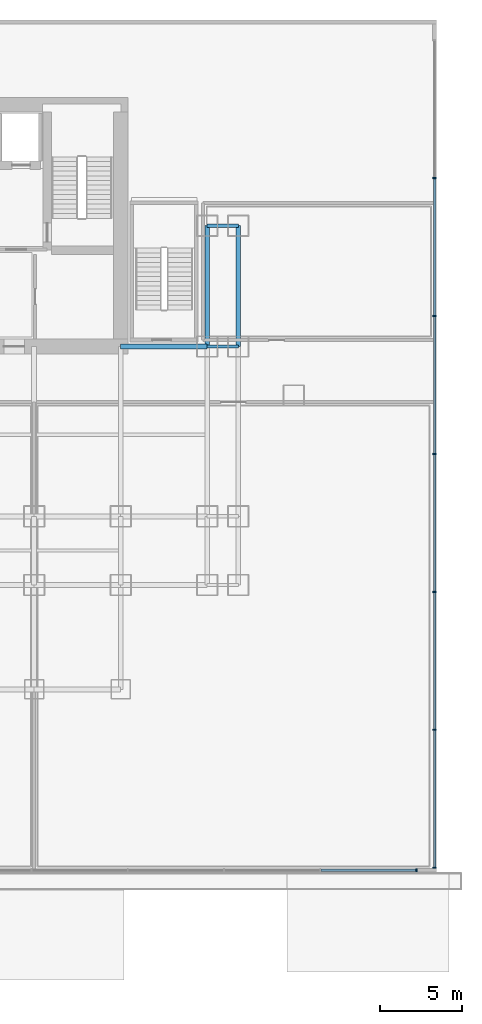
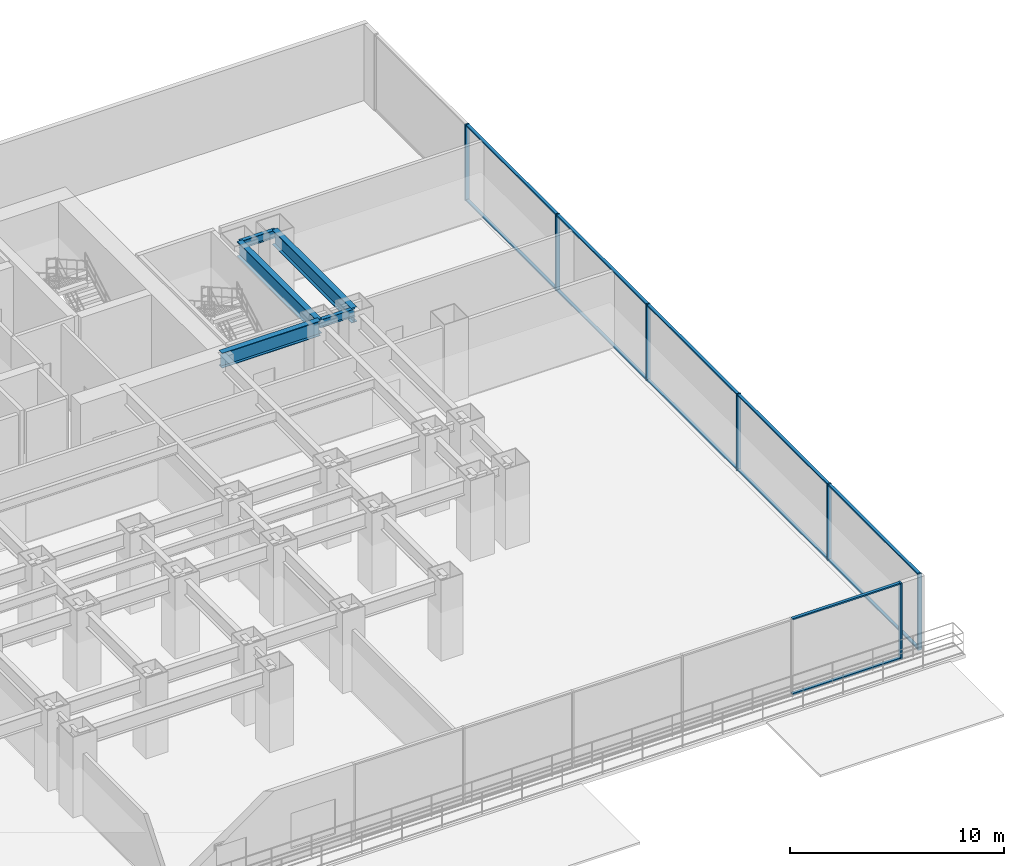
# One storey, part 6 of 13: 19 members, 5 beams, 2 elements without a shape of their own.
"""IFC4 building model written with IfcOpenShell, lengths in metres."""

from ifc_helpers import new_model, si_unit, direction, frame, origin, origin_2d, place, context, subcontext, project, spatial, rectangle, i_section, extrude, source, transform, mapped, material, layer, layer_set, material_profile, profile_set, type_object, element, aggregate, save


model = new_model("IFC4")

# Units and contexts
model_context = context("Model", 3, precision=1e-05, world=origin(), true_north=direction((0.0, 1.0)))
body_context = subcontext(model_context, "Body", "Model", "MODEL_VIEW")
ifc_project = project(units=[si_unit("LENGTHUNIT", "METRE"), si_unit("AREAUNIT", "SQUARE_METRE"), si_unit("VOLUMEUNIT", "CUBIC_METRE"), si_unit("PLANEANGLEUNIT", "RADIAN"), si_unit("MASSUNIT", "GRAM", prefix="KILO")], contexts=[model_context])

# Site, building, storey
site_placement = place(None, origin())
site = spatial("IfcSite", under=ifc_project, at=site_placement, CompositionType="ELEMENT")
building_placement = place(site_placement, origin())
building = spatial("IfcBuilding", under=site, at=building_placement, Name="Qianlan Lanfeng Residences", CompositionType="ELEMENT")
storey_placement = place(building_placement, frame((0.0, 0.0, 5.199951171875)))
storey = spatial("IfcBuildingStorey", under=building, at=storey_placement, Name="L01", CompositionType="ELEMENT", Elevation=5.199951171875)

# Beams
ifc_material_1 = material(Name="Steel SN490B", Category="steel")
ifc_material_profile_1 = material_profile(ifc_material_1, i_section(OverallWidth=0.300048828125, OverallDepth=0.85009765625, WebThickness=0.01611328125, FlangeThickness=0.031982421875, at=origin_2d()), Name="H 850x300x16x32")
ifc_profile_set_1 = profile_set([ifc_material_profile_1], Name="Steel SN490B")
beam_type_1 = type_object("IfcBeamType", Name="G-1100", PredefinedType="BEAM", material=ifc_profile_set_1)
beam_placement = place(storey_placement, frame((42.39990234375, 25.199951171875, 3.925048828125), z_axis=(1.0, 0.0, 0.0), x_axis=(0.0, 1.0, 0.0)))
element("IfcBeam", 1, at=beam_placement, inside=storey, type_object=beam_type_1, Name="Structural beam G-1100", PredefinedType="BEAM", context=body_context, shape_type="SweptSolid", body=[
    extrude(i_section(OverallWidth=0.300048828125, OverallDepth=0.85009765625, WebThickness=0.01611328125, FlangeThickness=0.031982421875, at=origin_2d()), origin(), (0.0, 0.0, 1.0), 5.300048828125),
])
for number, where, z_axis, x_axis, name in (
    (2, (47.699951171875, 25.199951171875, 3.925048828125), (0.0, 1.0, 0.0), (-1.0, 0.0, 0.0), "Structural beam G-1100"),
    (3, (49.60009765625, 25.199951171875, 3.925048828125), (0.0, 1.0, 0.0), (-1.0, 0.0, 0.0), "Structural beam G-1100"),
):
    element("IfcBeam", number, at=place(storey_placement, frame(where, z_axis=z_axis, x_axis=x_axis)), inside=storey, type_object=beam_type_1, Name=name, PredefinedType="BEAM", context=body_context, shape_type="SweptSolid", body=[
        extrude(i_section(OverallWidth=0.300048828125, OverallDepth=0.85009765625, WebThickness=0.01611328125, FlangeThickness=0.031982421875, at=origin_2d()), origin(), (0.0, 0.0, 1.0), 7.400146484375),
    ])
ifc_material_profile_2 = material_profile(ifc_material_1, i_section(OverallWidth=0.199951171875, OverallDepth=0.449951171875, WebThickness=0.009033203125, FlangeThickness=0.013916015625, at=origin_2d()), Name="H 450x200x9x14")
ifc_profile_set_2 = profile_set([ifc_material_profile_2], Name="Steel SN490B")
beam_type_2 = type_object("IfcBeamType", Name="J-450", PredefinedType="JOIST", material=ifc_profile_set_2)
for number, where, z_axis, x_axis, name in (
    (4, (47.699951171875, 25.199951171875, 4.125), (1.0, 0.0, 0.0), (0.0, 1.0, 0.0), "Structural beam J-450"),
    (5, (47.699951171875, 32.60009765625, 4.125), (1.0, 0.0, 0.0), (0.0, 1.0, 0.0), "Structural beam J-450"),
):
    element("IfcBeam", number, at=place(storey_placement, frame(where, z_axis=z_axis, x_axis=x_axis)), inside=storey, type_object=beam_type_2, Name=name, PredefinedType="JOIST", context=body_context, shape_type="SweptSolid", body=[
        extrude(i_section(OverallWidth=0.199951171875, OverallDepth=0.449951171875, WebThickness=0.009033203125, FlangeThickness=0.013916015625, at=origin_2d()), origin(), (0.0, 0.0, 1.0), 1.900146484375),
    ])

# Curtain wall, member
ifc_material_2 = material(Name="Anodised Bronze Aluminium 6063-T6", Category="aluminium")
ifc_layer = layer(ifc_material_2, 0.219970703125)
ifc_layer_set = layer_set([ifc_layer], Name="Anodised Bronze Aluminium 6063-T6")
curtain_wall_type = type_object("IfcCurtainWallType", Name="CW-01", PredefinedType="NOTDEFINED", material=ifc_layer_set)
curtain_wall_1_placement = place(storey_placement, origin())
curtain_wall_1 = element("IfcCurtainWall", 6, at=curtain_wall_1_placement, inside=storey, type_object=curtain_wall_type, Name="L01 Unitised Curtain Wall CWR-L01-SE (CW-01)", PredefinedType="NOTDEFINED")
ifc_material_profile_3 = material_profile(ifc_material_2, rectangle(XDim=0.080078125, YDim=0.2099609375, at=origin_2d()), Name="ALU MULLION 80x210")
ifc_profile_set_3 = profile_set([ifc_material_profile_3], Name="Anodised Bronze Aluminium 6063-T6")
member_type_1 = type_object("IfcMemberType", Name="CWM-220", PredefinedType="MULLION", material=ifc_profile_set_3)
shared_shape_1 = source(origin(), body_context, "Body", "SweptSolid", [
    extrude(rectangle(XDim=0.080078125, YDim=0.2099609375, at=origin_2d()), origin(), (0.0, 0.0, 1.0), 4.35009765625),
])
member_1_placement = place(storey_placement, frame((60.510009765625, -6.8798828125, 0.0), z_axis=(0.0, 0.0, 1.0), x_axis=(1.0, 0.0, 0.0)))
member_1 = element("IfcMember", 7, at=member_1_placement, type_object=member_type_1, Name="CWR-L01-SE Mullion 6", PredefinedType="MULLION", context=body_context, shape_type="MappedRepresentation", body=[
    mapped(shared_shape_1, transform((0.0, 0.0, 0.0), scale=1.0)),
])

# Curtain wall, members
curtain_wall_2_placement = place(storey_placement, origin())
curtain_wall_2 = element("IfcCurtainWall", 8, at=curtain_wall_2_placement, inside=storey, type_object=curtain_wall_type, Name="L01 Unitised Curtain Wall CWR-L01-E (CW-01)", PredefinedType="NOTDEFINED")
member_2_placement = place(storey_placement, frame((61.6298828125, -6.719970703125, 0.0), z_axis=(0.0, 0.0, 1.0), x_axis=(0.0, 1.0, 0.0)))
member_2 = element("IfcMember", 9, at=member_2_placement, type_object=member_type_1, Name="CWR-L01-E Mullion 1", PredefinedType="MULLION", context=body_context, shape_type="MappedRepresentation", body=[
    mapped(shared_shape_1, transform((0.0, 0.0, 0.0), scale=1.0)),
])
member_3_placement = place(storey_placement, frame((61.6298828125, 1.726806640625, 0.0), z_axis=(0.0, 0.0, 1.0), x_axis=(0.0, 1.0, 0.0)))
member_3 = element("IfcMember", 10, at=member_3_placement, type_object=member_type_1, Name="CWR-L01-E Mullion 2", PredefinedType="MULLION", context=body_context, shape_type="MappedRepresentation", body=[
    mapped(shared_shape_1, transform((0.0, 0.0, 0.0), scale=1.0)),
])
member_4_placement = place(storey_placement, frame((61.6298828125, 10.17333984375, 0.0), z_axis=(0.0, 0.0, 1.0), x_axis=(0.0, 1.0, 0.0)))
member_4 = element("IfcMember", 11, at=member_4_placement, type_object=member_type_1, Name="CWR-L01-E Mullion 3", PredefinedType="MULLION", context=body_context, shape_type="MappedRepresentation", body=[
    mapped(shared_shape_1, transform((0.0, 0.0, 0.0), scale=1.0)),
])
member_5_placement = place(storey_placement, frame((61.6298828125, 18.6201171875, 0.0), z_axis=(0.0, 0.0, 1.0), x_axis=(0.0, 1.0, 0.0)))
member_5 = element("IfcMember", 12, at=member_5_placement, type_object=member_type_1, Name="CWR-L01-E Mullion 4", PredefinedType="MULLION", context=body_context, shape_type="MappedRepresentation", body=[
    mapped(shared_shape_1, transform((0.0, 0.0, 0.0), scale=1.0)),
])
member_6_placement = place(storey_placement, frame((61.6298828125, 27.066650390625, 0.0), z_axis=(0.0, 0.0, 1.0), x_axis=(0.0, 1.0, 0.0)))
member_6 = element("IfcMember", 13, at=member_6_placement, type_object=member_type_1, Name="CWR-L01-E Mullion 5", PredefinedType="MULLION", context=body_context, shape_type="MappedRepresentation", body=[
    mapped(shared_shape_1, transform((0.0, 0.0, 0.0), scale=1.0)),
])
member_7_placement = place(storey_placement, frame((61.6298828125, 35.51318359375, 0.0), z_axis=(0.0, 0.0, 1.0), x_axis=(0.0, 1.0, 0.0)))
member_7 = element("IfcMember", 14, at=member_7_placement, type_object=member_type_1, Name="CWR-L01-E Mullion 6", PredefinedType="MULLION", context=body_context, shape_type="MappedRepresentation", body=[
    mapped(shared_shape_1, transform((0.0, 0.0, 0.0), scale=1.0)),
])

# Member
ifc_material_profile_4 = material_profile(ifc_material_2, rectangle(XDim=0.080078125, YDim=0.159912109375, at=origin_2d()), Name="ALU TRANSOM 80x160")
ifc_profile_set_4 = profile_set([ifc_material_profile_4], Name="Anodised Bronze Aluminium 6063-T6")
member_type_2 = type_object("IfcMemberType", Name="CWT-180", PredefinedType="USERDEFINED", material=ifc_profile_set_4)
shared_shape_2 = source(origin(), body_context, "Body", "SweptSolid", [
    extrude(rectangle(XDim=0.080078125, YDim=0.159912109375, at=origin_2d()), origin(), (0.0, 0.0, 1.0), 5.81396484375),
])
member_8_placement = place(storey_placement, frame((54.656005859375, -6.8798828125, 0.0400390625), z_axis=(1.0, 0.0, 0.0), x_axis=(0.0, 0.0, 1.0)))
member_8 = element("IfcMember", 15, at=member_8_placement, type_object=member_type_2, Name="CWR-L01-SE Transom 5-BOT", ObjectType="TRANSOM", PredefinedType="USERDEFINED", context=body_context, shape_type="MappedRepresentation", body=[
    mapped(shared_shape_2, transform((0.0, 0.0, 0.0), scale=1.0)),
])

member_9_placement = place(storey_placement, frame((54.656005859375, -6.8798828125, 4.31005859375), z_axis=(1.0, 0.0, 0.0), x_axis=(0.0, 0.0, 1.0)))
member_9 = element("IfcMember", 16, at=member_9_placement, type_object=member_type_2, Name="CWR-L01-SE Transom 5-TOP", ObjectType="TRANSOM", PredefinedType="USERDEFINED", context=body_context, shape_type="MappedRepresentation", body=[
    mapped(shared_shape_2, transform((0.0, 0.0, 0.0), scale=1.0)),
])

aggregate(curtain_wall_1, [member_1, member_8, member_9])

shared_shape_3 = source(origin(), body_context, "Body", "SweptSolid", [
    extrude(rectangle(XDim=0.080078125, YDim=0.159912109375, at=origin_2d()), origin(), (0.0, 0.0, 1.0), 8.36669921875),
])
member_10_placement = place(storey_placement, frame((61.6298828125, -6.679931640625, 0.0400390625), z_axis=(0.0, 1.0, 0.0), x_axis=(0.0, 0.0, 1.0)))
member_10 = element("IfcMember", 17, at=member_10_placement, type_object=member_type_2, Name="CWR-L01-E Transom 1-BOT", ObjectType="TRANSOM", PredefinedType="USERDEFINED", context=body_context, shape_type="MappedRepresentation", body=[
    mapped(shared_shape_3, transform((0.0, 0.0, 0.0), scale=1.0)),
])

member_11_placement = place(storey_placement, frame((61.6298828125, -6.679931640625, 4.31005859375), z_axis=(0.0, 1.0, 0.0), x_axis=(0.0, 0.0, 1.0)))
member_11 = element("IfcMember", 18, at=member_11_placement, type_object=member_type_2, Name="CWR-L01-E Transom 1-TOP", ObjectType="TRANSOM", PredefinedType="USERDEFINED", context=body_context, shape_type="MappedRepresentation", body=[
    mapped(shared_shape_3, transform((0.0, 0.0, 0.0), scale=1.0)),
])

member_12_placement = place(storey_placement, frame((61.6298828125, 1.7666015625, 0.0400390625), z_axis=(0.0, 1.0, 0.0), x_axis=(0.0, 0.0, 1.0)))
member_12 = element("IfcMember", 19, at=member_12_placement, type_object=member_type_2, Name="CWR-L01-E Transom 2-BOT", ObjectType="TRANSOM", PredefinedType="USERDEFINED", context=body_context, shape_type="MappedRepresentation", body=[
    mapped(shared_shape_3, transform((0.0, 0.0, 0.0), scale=1.0)),
])

member_13_placement = place(storey_placement, frame((61.6298828125, 1.7666015625, 4.31005859375), z_axis=(0.0, 1.0, 0.0), x_axis=(0.0, 0.0, 1.0)))
member_13 = element("IfcMember", 20, at=member_13_placement, type_object=member_type_2, Name="CWR-L01-E Transom 2-TOP", ObjectType="TRANSOM", PredefinedType="USERDEFINED", context=body_context, shape_type="MappedRepresentation", body=[
    mapped(shared_shape_3, transform((0.0, 0.0, 0.0), scale=1.0)),
])

member_14_placement = place(storey_placement, frame((61.6298828125, 10.21337890625, 0.0400390625), z_axis=(0.0, 1.0, 0.0), x_axis=(0.0, 0.0, 1.0)))
member_14 = element("IfcMember", 21, at=member_14_placement, type_object=member_type_2, Name="CWR-L01-E Transom 3-BOT", ObjectType="TRANSOM", PredefinedType="USERDEFINED", context=body_context, shape_type="MappedRepresentation", body=[
    mapped(shared_shape_3, transform((0.0, 0.0, 0.0), scale=1.0)),
])

member_15_placement = place(storey_placement, frame((61.6298828125, 10.21337890625, 4.31005859375), z_axis=(0.0, 1.0, 0.0), x_axis=(0.0, 0.0, 1.0)))
member_15 = element("IfcMember", 22, at=member_15_placement, type_object=member_type_2, Name="CWR-L01-E Transom 3-TOP", ObjectType="TRANSOM", PredefinedType="USERDEFINED", context=body_context, shape_type="MappedRepresentation", body=[
    mapped(shared_shape_3, transform((0.0, 0.0, 0.0), scale=1.0)),
])

member_16_placement = place(storey_placement, frame((61.6298828125, 18.659912109375, 0.0400390625), z_axis=(0.0, 1.0, 0.0), x_axis=(0.0, 0.0, 1.0)))
member_16 = element("IfcMember", 23, at=member_16_placement, type_object=member_type_2, Name="CWR-L01-E Transom 4-BOT", ObjectType="TRANSOM", PredefinedType="USERDEFINED", context=body_context, shape_type="MappedRepresentation", body=[
    mapped(shared_shape_3, transform((0.0, 0.0, 0.0), scale=1.0)),
])

member_17_placement = place(storey_placement, frame((61.6298828125, 18.659912109375, 4.31005859375), z_axis=(0.0, 1.0, 0.0), x_axis=(0.0, 0.0, 1.0)))
member_17 = element("IfcMember", 24, at=member_17_placement, type_object=member_type_2, Name="CWR-L01-E Transom 4-TOP", ObjectType="TRANSOM", PredefinedType="USERDEFINED", context=body_context, shape_type="MappedRepresentation", body=[
    mapped(shared_shape_3, transform((0.0, 0.0, 0.0), scale=1.0)),
])

member_18_placement = place(storey_placement, frame((61.6298828125, 27.106689453125, 0.0400390625), z_axis=(0.0, 1.0, 0.0), x_axis=(0.0, 0.0, 1.0)))
member_18 = element("IfcMember", 25, at=member_18_placement, type_object=member_type_2, Name="CWR-L01-E Transom 5-BOT", ObjectType="TRANSOM", PredefinedType="USERDEFINED", context=body_context, shape_type="MappedRepresentation", body=[
    mapped(shared_shape_3, transform((0.0, 0.0, 0.0), scale=1.0)),
])

member_19_placement = place(storey_placement, frame((61.6298828125, 27.106689453125, 4.31005859375), z_axis=(0.0, 1.0, 0.0), x_axis=(0.0, 0.0, 1.0)))
member_19 = element("IfcMember", 26, at=member_19_placement, type_object=member_type_2, Name="CWR-L01-E Transom 5-TOP", ObjectType="TRANSOM", PredefinedType="USERDEFINED", context=body_context, shape_type="MappedRepresentation", body=[
    mapped(shared_shape_3, transform((0.0, 0.0, 0.0), scale=1.0)),
])

aggregate(curtain_wall_2, [member_2, member_3, member_4, member_5, member_6, member_7, member_10, member_11, member_12, member_13, member_14, member_15, member_16, member_17, member_18, member_19])

save(model, "model.ifc")
